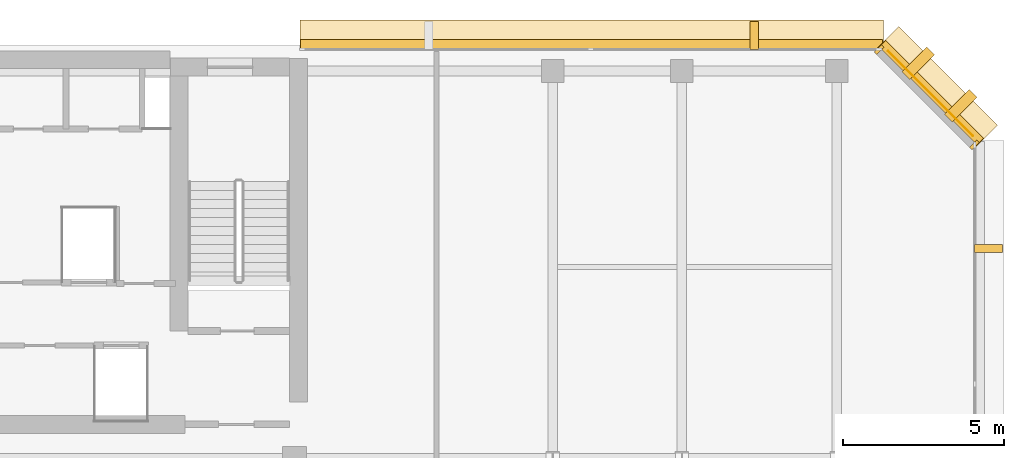
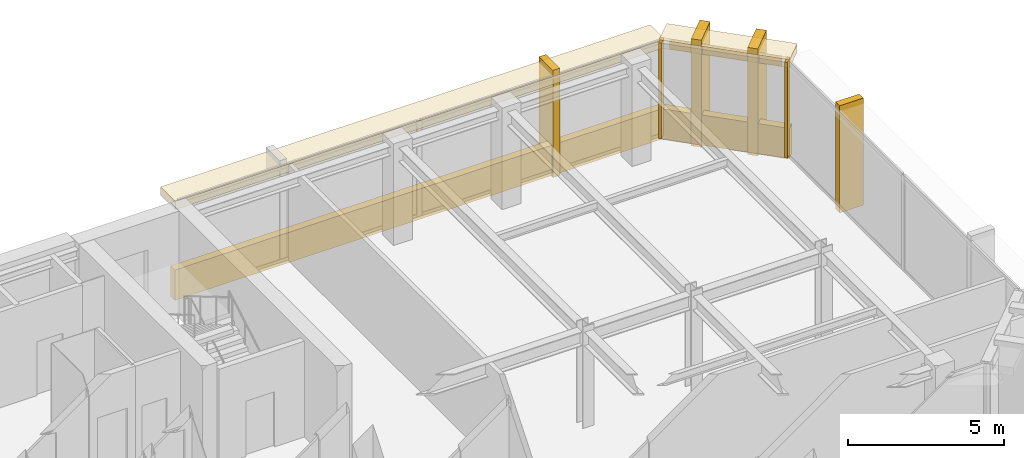
# One storey, part 11 of 11: 11 coverings.
"""IFC4 building model written with IfcOpenShell, lengths in metres."""

import ifcopenshell
import ifcopenshell.guid

model = None  # the IFC model being written
_history = None  # IfcOwnerHistory: only IFC2X3 demands one
_inside = {}  # id of a spatial element -> (the spatial element, [elements in it])
_under = {}  # id of a project, library or spatial element -> (it, [spatial elements below it])
_declared = {}  # id of a project -> (the project, [libraries it declares])
_typed = {}  # id of a type object -> (the type object, [elements of that type])
_made_of = {}  # id of a material, layer set ... -> (it, [elements and type objects made of it])


def new_model(schema):
    """Start an empty IFC model of exactly this schema.

    Asked for "IFC4X3", IfcOpenShell would pick the latest addendum, in which some entities
    have other attributes; the version numbers below select the first issue.
    IFC2X3 requires an IfcOwnerHistory on every rooted entity: one is made here for all.
    """
    global model, _history
    if schema == "IFC4X3":
        model = ifcopenshell.file(schema_version=(4, 3, 0, 0))
    else:
        model = ifcopenshell.file(schema=schema)
    _inside.clear()
    _under.clear()
    _declared.clear()
    _typed.clear()
    _made_of.clear()
    _history = None
    if model.schema == "IFC2X3":
        org = make("IfcOrganization", Name="unknown")
        user = make(
            "IfcPersonAndOrganization",
            ThePerson=make("IfcPerson", FamilyName="unknown"),
            TheOrganization=org,
        )
        app = make(
            "IfcApplication",
            ApplicationDeveloper=org,
            Version="unknown",
            ApplicationFullName="unknown",
            ApplicationIdentifier="unknown",
        )
        _history = make(
            "IfcOwnerHistory",
            OwningUser=user,
            OwningApplication=app,
            ChangeAction="ADDED",
            CreationDate=0,
        )
    return model


def make(cls, **values):
    """One entity of the class cls with the attributes given. An attribute that is None is left unset."""
    return model.create_entity(
        cls, **{name: value for name, value in values.items() if value is not None}
    )


def rooted(cls, **values):
    """An entity with a GlobalId (a new one), such as an element, a storey or a relation."""
    return make(cls, GlobalId=ifcopenshell.guid.new(), OwnerHistory=_history, **values)


def si_unit(unit_type, name, prefix=None):
    """IfcSIUnit, for example si_unit("LENGTHUNIT", "METRE", prefix="MILLI")."""
    return make("IfcSIUnit", UnitType=unit_type, Prefix=prefix, Name=name)


def assignment(units):
    """IfcUnitAssignment: the units of a project."""
    return None if units is None else make("IfcUnitAssignment", Units=units)


def point(xyz):
    """IfcCartesianPoint."""
    return None if xyz is None else make("IfcCartesianPoint", Coordinates=xyz)


def direction(xyz):
    """IfcDirection."""
    return None if xyz is None else make("IfcDirection", DirectionRatios=xyz)


def frame(location, z_axis=None, x_axis=None):
    """IfcAxis2Placement3D, a coordinate frame: its origin and axes. An axis left out is left unset."""
    return make(
        "IfcAxis2Placement3D",
        Location=point(location),
        Axis=direction(z_axis),
        RefDirection=direction(x_axis),
    )


def frame_2d(location, x_axis=None):
    """IfcAxis2Placement2D, a coordinate frame in the plane: its origin and x axis."""
    return make(
        "IfcAxis2Placement2D", Location=point(location), RefDirection=direction(x_axis)
    )


def origin():
    """The frame at (0, 0, 0) with its axes left unset."""
    return frame((0.0, 0.0, 0.0))


def origin_2d():
    """The frame at (0, 0) in the plane with its x axis left unset."""
    return frame_2d((0.0, 0.0))


def place(relative_to, where):
    """IfcLocalPlacement: puts the frame where relative to a parent placement (None: the world)."""
    return make(
        "IfcLocalPlacement", PlacementRelTo=relative_to, RelativePlacement=where
    )


def context(
    kind, dimensions, precision=None, world=None, true_north=None, identifier=None
):
    """IfcGeometricRepresentationContext, for example the 3D "Model" context."""
    return make(
        "IfcGeometricRepresentationContext",
        ContextIdentifier=identifier,
        ContextType=kind,
        CoordinateSpaceDimension=dimensions,
        Precision=precision,
        WorldCoordinateSystem=world,
        TrueNorth=true_north,
    )


def subcontext(parent, identifier, kind, view, scale=None):
    """IfcGeometricRepresentationSubContext, for example "Body" below "Model"."""
    return make(
        "IfcGeometricRepresentationSubContext",
        ContextIdentifier=identifier,
        ContextType=kind,
        ParentContext=parent,
        TargetScale=scale,
        TargetView=view,
    )


def project(units=None, contexts=None):
    """IfcProject with its units and contexts."""
    return rooted(
        "IfcProject",
        Name="project",
        RepresentationContexts=contexts,
        UnitsInContext=assignment(units),
    )


def spatial(cls, under=None, at=None, **own):
    """A site, building, storey or space (cls), placed at a placement, below another one or the project."""
    s = rooted(cls, ObjectPlacement=at, **own)
    if under is not None:
        _under.setdefault(under.id(), (under, []))[1].append(s)
    return s


def profile(cls, at=None, kind="AREA", **sizes):
    """A parametric profile (cls). Its sizes go by their IFC names, for example OverallWidth=200.0."""
    return make(cls, ProfileType=kind, Position=at, **sizes)


def rectangle(**sizes):
    """IfcRectangleProfileDef."""
    return profile("IfcRectangleProfileDef", **sizes)


def extrude(swept, where, along, depth):
    """IfcExtrudedAreaSolid: the profile swept, set in the frame where, extruded along a direction by depth."""
    return make(
        "IfcExtrudedAreaSolid",
        SweptArea=swept,
        Position=where,
        ExtrudedDirection=direction(along),
        Depth=depth,
    )


def shape(context_of_items, identifier, shape_type, items):
    """IfcShapeRepresentation: the items that make up one representation, for example the "Body"."""
    return make(
        "IfcShapeRepresentation",
        ContextOfItems=context_of_items,
        RepresentationIdentifier=identifier,
        RepresentationType=shape_type,
        Items=items,
    )


def material(Name=None, Category=None):
    """IfcMaterial."""
    return make("IfcMaterial", Name=Name, Category=Category)


def layer(
    of_material, thickness, ventilated=None, Name=None, Category=None, Priority=None
):
    """IfcMaterialLayer: one layer of a wall or slab, of a material (None: an air gap)."""
    return make(
        "IfcMaterialLayer",
        Material=of_material,
        LayerThickness=thickness,
        IsVentilated=ventilated,
        Name=Name,
        Category=Category,
        Priority=Priority,
    )


def layer_set(layers, Name=None):
    """IfcMaterialLayerSet."""
    return make("IfcMaterialLayerSet", MaterialLayers=layers, LayerSetName=Name)


def made_of(thing, what):
    """Note that an element or type object is made of a material, layer set ...; save() writes the relation."""
    if what is not None:
        _made_of.setdefault(what.id(), (what, []))[1].append(thing)
    return thing


def type_object(cls, material=None, **own):
    """A type object (cls), such as IfcWallType, which elements share."""
    return made_of(rooted(cls, **own), material)


def element(
    cls,
    number,
    at=None,
    inside=None,
    cuts=None,
    type_object=None,
    material=None,
    context=None,
    identifier="Body",
    shape_type=None,
    held_by="IfcProductDefinitionShape",
    body=None,
    shapes=None,
    **own,
):
    """One element of the class cls, such as IfcWall. Its Tag is "e" and its number.

    at: its placement. inside: the storey or other place that contains it. cuts: it is an
    opening in that element (IfcRelVoidsElement). A single representation is given by context,
    identifier, shape_type and body (its items); several are given by shapes. held_by: the class
    of the entity that holds the representations. save() writes the other relations.
    """
    e = rooted(cls, Tag="e%d" % number, ObjectPlacement=at, **own)
    if body is not None:
        shapes = [shape(context, identifier, shape_type, body)]
    if shapes is not None:
        e.Representation = make(held_by, Representations=shapes)
    if inside is not None:
        _inside.setdefault(inside.id(), (inside, []))[1].append(e)
    if cuts is not None:
        rooted(
            "IfcRelVoidsElement", RelatingBuildingElement=cuts, RelatedOpeningElement=e
        )
    if type_object is not None:
        _typed.setdefault(type_object.id(), (type_object, []))[1].append(e)
    return made_of(e, material)


def aggregate(whole, parts):
    """IfcRelAggregates: a whole, such as a stair, and the parts it consists of."""
    return rooted("IfcRelAggregates", RelatingObject=whole, RelatedObjects=parts)


def save(model, path):
    """Write the relations noted so far, then the file.

    IfcRelAggregates (storeys below a building ...), IfcRelContainedInSpatialStructure (elements
    in a storey), IfcRelDefinesByType, IfcRelAssociatesMaterial and IfcRelDeclares: one each for
    every whole, place, type object, material and project.
    """
    for whole, parts in _under.values():
        aggregate(whole, parts)
    for where, things in _inside.values():
        rooted(
            "IfcRelContainedInSpatialStructure",
            RelatedElements=things,
            RelatingStructure=where,
        )
    for kind, things in _typed.values():
        rooted("IfcRelDefinesByType", RelatedObjects=things, RelatingType=kind)
    for what, things in _made_of.values():
        rooted("IfcRelAssociatesMaterial", RelatedObjects=things, RelatingMaterial=what)
    for by, libraries in _declared.values():
        rooted("IfcRelDeclares", RelatingContext=by, RelatedDefinitions=libraries)
    model.write(path)


model = new_model("IFC4")

# Units and contexts
model_context = context("Model", 3, precision=1e-05, world=origin(), true_north=direction((0.0, 1.0)))
body_context = subcontext(model_context, "Body", "Model", "MODEL_VIEW")
ifc_project = project(units=[si_unit("LENGTHUNIT", "METRE"), si_unit("AREAUNIT", "SQUARE_METRE"), si_unit("VOLUMEUNIT", "CUBIC_METRE"), si_unit("PLANEANGLEUNIT", "RADIAN"), si_unit("MASSUNIT", "GRAM", prefix="KILO")], contexts=[model_context])

# Site, building, storey
site_placement = place(None, origin())
site = spatial("IfcSite", under=ifc_project, at=site_placement, CompositionType="ELEMENT")
building_placement = place(site_placement, origin())
building = spatial("IfcBuilding", under=site, at=building_placement, Name="Kefirva Bronze Tower", CompositionType="ELEMENT")
storey_placement = place(building_placement, frame((0.0, 0.0, 319.77001953125)))
storey = spatial("IfcBuildingStorey", under=building, at=storey_placement, Name="L78", CompositionType="ELEMENT", Elevation=319.77001953125)

# Coverings
ifc_material = material(Name="Bronze anodised aluminium", Category="aluminium")
ifc_layer_1 = layer(ifc_material, 0.02001953125, Name="Bronze anodised aluminium")
ifc_layer_set_1 = layer_set([ifc_layer_1], Name="Bronze anodised aluminium")
covering_type_1 = type_object("IfcCoveringType", Name="Anodised Bronze Spandrel Cladding 20mm", PredefinedType="CLADDING", material=ifc_layer_set_1)
covering_1_placement = place(storey_placement, frame((42.906982421875, 44.507080078125, 3.320068359375), z_axis=(0.0, 0.0, 1.0), x_axis=(-0.707106781187, 0.707106781187, 0.0)))
element("IfcCovering", 1, at=covering_1_placement, inside=storey, type_object=covering_type_1, Name="L78 Bronze Spandrel Cladding 5", PredefinedType="CLADDING", context=body_context, shape_type="SweptSolid", body=[
    extrude(rectangle(XDim=3.719482421875, YDim=0.02001953125, at=origin_2d()), origin(), (0.0, 0.0, 1.0), 0.39990234375),
])
for number, where, z_axis, x_axis, name in (
    (2, (44.26220703125, 42.91162109375, 0.0), (0.0, 0.0, 1.0), (-0.707106781187, 0.707106781187, 0.0), "L78 Facade Joint Closure Panel 5S"),
    (3, (41.311767578125, 45.862060546875, 0.0), (0.0, 0.0, 1.0), (-0.707106781187, 0.707106781187, 0.0), "L78 Facade Joint Closure Panel 5E"),
):
    element("IfcCovering", number, at=place(storey_placement, frame(where, z_axis=z_axis, x_axis=x_axis)), inside=storey, type_object=covering_type_1, Name=name, PredefinedType="CLADDING", context=body_context, shape_type="SweptSolid", body=[
        extrude(rectangle(XDim=0.10009765625, YDim=0.320068359375, at=origin_2d()), origin(), (0.0, 0.0, 1.0), 3.739990234375),
    ])
covering_2_placement = place(storey_placement, frame((42.92822265625, 44.5283203125, -0.16015625), z_axis=(0.0, 0.0, 1.0), x_axis=(-0.707106781187, 0.707106781187, 0.0)))
element("IfcCovering", 4, at=covering_2_placement, inside=storey, type_object=covering_type_1, Name="L78 Streamline Horizontal Spandrel Band 7", PredefinedType="CLADDING", context=body_context, shape_type="SweptSolid", body=[
    extrude(rectangle(XDim=4.28271484375, YDim=0.280029296875, at=origin_2d()), origin(), (0.0, 0.0, 1.0), 1.179931640625),
])
covering_3_placement = place(storey_placement, frame((32.402587890625, 46.0400390625, -0.16015625), z_axis=(0.0, 0.0, 1.0), x_axis=(-1.0, 0.0, 0.0)))
element("IfcCovering", 5, at=covering_3_placement, inside=storey, type_object=covering_type_1, Name="L78 Streamline Horizontal Spandrel Band 8", PredefinedType="CLADDING", context=body_context, shape_type="SweptSolid", body=[
    extrude(rectangle(XDim=18.034912109375, YDim=0.280029296875, at=origin_2d()), origin(), (0.0, 0.0, 1.0), 1.179931640625),
])
ifc_layer_2 = layer(ifc_material, 0.179931640625, Name="Bronze anodised aluminium")
ifc_layer_set_2 = layer_set([ifc_layer_2], Name="Bronze anodised aluminium")
covering_type_2 = type_object("IfcCoveringType", Name="Streamline Bronze Sunshade Eyebrow Cladding 180mm", PredefinedType="CLADDING", material=ifc_layer_set_2)
covering_4_placement = place(storey_placement, frame((43.119140625, 44.71923828125, 3.419921875), z_axis=(0.0, 0.0, 1.0), x_axis=(-0.707106781187, 0.707106781187, 0.0)))
element("IfcCovering", 6, at=covering_4_placement, inside=storey, type_object=covering_type_2, Name="L78 Streamline Bronze Sunshade Eyebrow 7", PredefinedType="CLADDING", context=body_context, shape_type="SweptSolid", body=[
    extrude(rectangle(XDim=4.322509765625, YDim=0.93994140625, at=origin_2d()), origin(), (0.0, 0.0, 1.0), 0.320068359375),
])
covering_5_placement = place(storey_placement, frame((32.402587890625, 46.31005859375, 3.419921875), z_axis=(0.0, 0.0, 1.0), x_axis=(-1.0, 0.0, 0.0)))
element("IfcCovering", 7, at=covering_5_placement, inside=storey, type_object=covering_type_2, Name="L78 Streamline Bronze Sunshade Eyebrow 8", PredefinedType="CLADDING", context=body_context, shape_type="SweptSolid", body=[
    extrude(rectangle(XDim=18.074951171875, YDim=0.93994140625, at=origin_2d()), origin(), (0.0, 0.0, 1.0), 0.320068359375),
])
ifc_layer_3 = layer(ifc_material, 0.260009765625, Name="Bronze anodised aluminium")
ifc_layer_set_3 = layer_set([ifc_layer_3], Name="Bronze anodised aluminium")
covering_type_3 = type_object("IfcCoveringType", Name="Unbroken Bronze Buttress Fin Cladding 260mm", PredefinedType="CLADDING", material=ifc_layer_set_3)
covering_6_placement = place(storey_placement, frame((44.699951171875, 39.699951171875, -0.22021484375), z_axis=(0.0, 0.0, 1.0), x_axis=(0.0, 1.0, 0.0)))
element("IfcCovering", 8, at=covering_6_placement, inside=storey, type_object=covering_type_3, Name="L78 Unbroken Vertical Bronze Rib Fin 14", PredefinedType="CLADDING", context=body_context, shape_type="SweptSolid", body=[
    extrude(rectangle(XDim=0.260009765625, YDim=0.8798828125, at=origin_2d()), origin(), (0.0, 0.0, 1.0), 4.179931640625),
])
for number, where, z_axis, x_axis, name in (
    (9, (43.8427734375, 44.122802734375, -0.22021484375), (0.0, 0.0, 1.0), (-0.707106781187, 0.707106781187, 0.0), "L78 Chamfered Corner Buttress Fin Cladding 15"),
    (10, (42.522705078125, 45.44287109375, -0.22021484375), (0.0, 0.0, 1.0), (-0.707106781187, 0.707106781187, 0.0), "L78 Chamfered Corner Buttress Fin Cladding 16"),
):
    element("IfcCovering", number, at=place(storey_placement, frame(where, z_axis=z_axis, x_axis=x_axis)), inside=storey, type_object=covering_type_3, Name=name, PredefinedType="CLADDING", context=body_context, shape_type="SweptSolid", body=[
        extrude(rectangle(XDim=0.340087890625, YDim=1.080078125, at=origin_2d()), origin(), (0.0, 0.0, 1.0), 4.179931640625),
    ])
covering_7_placement = place(storey_placement, frame((37.441162109375, 46.300048828125, -0.22021484375), z_axis=(0.0, 0.0, 1.0), x_axis=(-1.0, 0.0, 0.0)))
element("IfcCovering", 11, at=covering_7_placement, inside=storey, type_object=covering_type_3, Name="L78 Unbroken Vertical Bronze Rib Fin 17", PredefinedType="CLADDING", context=body_context, shape_type="SweptSolid", body=[
    extrude(rectangle(XDim=0.260009765625, YDim=0.8798828125, at=origin_2d()), origin(), (0.0, 0.0, 1.0), 4.179931640625),
])

save(model, "model.ifc")
